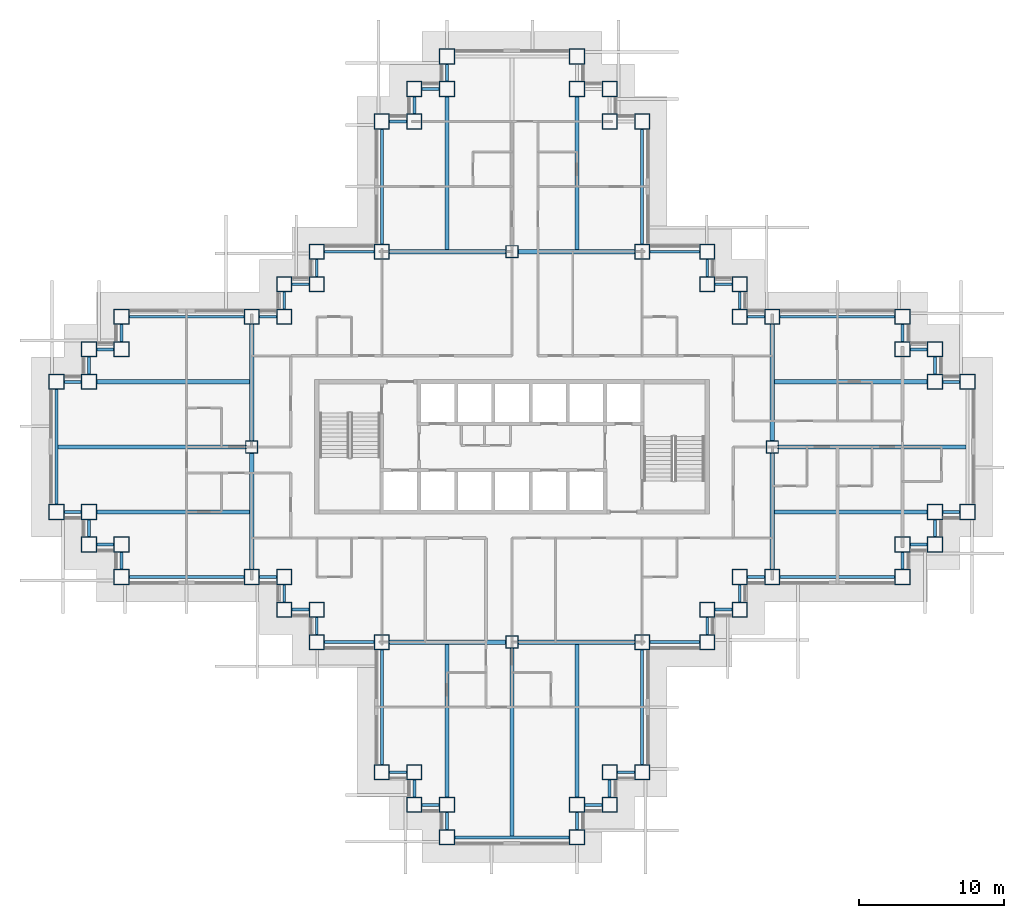
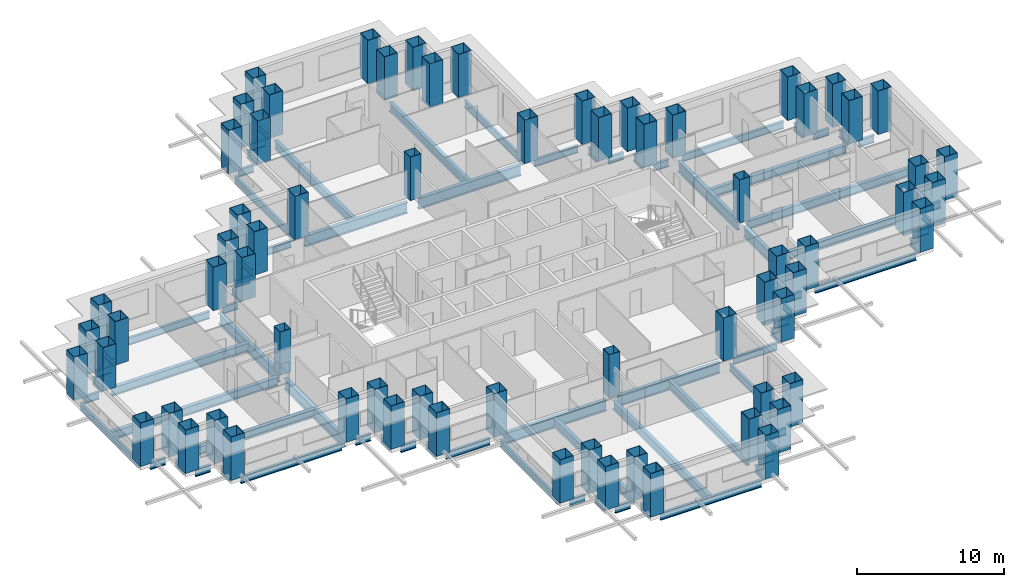
# One storey, part 1 of 15: 77 beams, 68 columns.
"""IFC4 building model written with IfcOpenShell, lengths in metres."""

from ifc_helpers import new_model, si_unit, direction, frame, origin, origin_2d, place, context, subcontext, project, spatial, hollow_rectangle, i_section, extrude, material, material_profile, profile_set, type_object, element, save


model = new_model("IFC4")

# Units and contexts
model_context = context("Model", 3, precision=1e-05, world=origin(), true_north=direction((0.0, 1.0)))
body_context = subcontext(model_context, "Body", "Model", "MODEL_VIEW")
ifc_project = project(units=[si_unit("LENGTHUNIT", "METRE"), si_unit("AREAUNIT", "SQUARE_METRE"), si_unit("VOLUMEUNIT", "CUBIC_METRE"), si_unit("PLANEANGLEUNIT", "RADIAN"), si_unit("MASSUNIT", "GRAM", prefix="KILO")], contexts=[model_context])

# Site, building, storey
site_placement = place(None, origin())
site = spatial("IfcSite", under=ifc_project, at=site_placement, CompositionType="ELEMENT")
building_placement = place(site_placement, origin())
building = spatial("IfcBuilding", under=site, at=building_placement, Name="Caravel Reach Hotel and Residences", CompositionType="ELEMENT")
storey_placement = place(building_placement, frame((0.0, 0.0, 44.39990234375)))
storey = spatial("IfcBuildingStorey", under=building, at=storey_placement, Name="L09", CompositionType="ELEMENT", Elevation=44.39990234375)

# Columns
ifc_material_1 = material(Name="Concrete-filled steel tube Q390B with Concrete C70 infill", Category="concrete")
ifc_material_profile_1 = material_profile(ifc_material_1, hollow_rectangle(XDim=1.050048828125, YDim=1.050048828125, WallThickness=0.033935546875, at=origin_2d()), Name="RHS 1050x1050x34")
ifc_profile_set_1 = profile_set([ifc_material_profile_1], Name="Concrete-filled steel tube Q390B with Concrete C70 infill")
column_type_1 = type_object("IfcColumnType", Name="CFT 1050x1050 Q390B C70", PredefinedType="COLUMN", material=ifc_profile_set_1)
for number, where, z_axis, x_axis, name in (
    (1, (22.5, 4.5, 0.0), (0.0, 0.0, 1.0), (1.0, 0.0, 0.0), "C11 column"),
    (2, (24.75, 4.5, 0.0), (0.0, 0.0, 1.0), (1.0, 0.0, 0.0), "C11 column"),
    (3, (24.75, 2.25, 0.0), (0.0, 0.0, 1.0), (1.0, 0.0, 0.0), "C11 column"),
    (4, (27.0, 2.25, 0.0), (0.0, 0.0, 1.0), (1.0, 0.0, 0.0), "C11 column"),
    (5, (27.0, 0.0, 0.0), (0.0, 0.0, 1.0), (1.0, 0.0, 0.0), "C11 column"),
    (6, (36.0, 0.0, 0.0), (0.0, 0.0, 1.0), (1.0, 0.0, 0.0), "C11 column"),
    (7, (36.0, 2.25, 0.0), (0.0, 0.0, 1.0), (1.0, 0.0, 0.0), "C11 column"),
    (8, (38.25, 2.25, 0.0), (0.0, 0.0, 1.0), (1.0, 0.0, 0.0), "C11 column"),
    (9, (38.25, 4.5, 0.0), (0.0, 0.0, 1.0), (1.0, 0.0, 0.0), "C11 column"),
    (10, (40.5, 4.5, 0.0), (0.0, 0.0, 1.0), (1.0, 0.0, 0.0), "C11 column"),
    (11, (40.5, 13.5, 0.0), (0.0, 0.0, 1.0), (1.0, 0.0, 0.0), "C11 column"),
    (12, (45.0, 13.5, 0.0), (0.0, 0.0, 1.0), (1.0, 0.0, 0.0), "C11 column"),
    (13, (45.0, 15.75, 0.0), (0.0, 0.0, 1.0), (1.0, 0.0, 0.0), "C11 column"),
    (14, (47.25, 15.75, 0.0), (0.0, 0.0, 1.0), (1.0, 0.0, 0.0), "C11 column"),
    (15, (47.25, 18.0, 0.0), (0.0, 0.0, 1.0), (1.0, 0.0, 0.0), "C11 column"),
    (16, (49.5, 18.0, 0.0), (0.0, 0.0, 1.0), (1.0, 0.0, 0.0), "C11 column"),
    (17, (58.5, 18.0, 0.0), (0.0, 0.0, 1.0), (1.0, 0.0, 0.0), "C11 column"),
    (18, (58.5, 20.25, 0.0), (0.0, 0.0, 1.0), (1.0, 0.0, 0.0), "C11 column"),
    (19, (60.75, 20.25, 0.0), (0.0, 0.0, 1.0), (1.0, 0.0, 0.0), "C11 column"),
    (20, (60.75, 22.5, 0.0), (0.0, 0.0, 1.0), (1.0, 0.0, 0.0), "C11 column"),
    (21, (63.0, 22.5, 0.0), (0.0, 0.0, 1.0), (1.0, 0.0, 0.0), "C11 column"),
    (22, (63.0, 31.5, 0.0), (0.0, 0.0, 1.0), (1.0, 0.0, 0.0), "C11 column"),
    (23, (60.75, 31.5, 0.0), (0.0, 0.0, 1.0), (1.0, 0.0, 0.0), "C11 column"),
    (24, (60.75, 33.75, 0.0), (0.0, 0.0, 1.0), (1.0, 0.0, 0.0), "C11 column"),
    (25, (58.5, 33.75, 0.0), (0.0, 0.0, 1.0), (1.0, 0.0, 0.0), "C11 column"),
    (26, (58.5, 36.0, 0.0), (0.0, 0.0, 1.0), (1.0, 0.0, 0.0), "C11 column"),
    (27, (49.5, 36.0, 0.0), (0.0, 0.0, 1.0), (1.0, 0.0, 0.0), "C11 column"),
    (28, (47.25, 36.0, 0.0), (0.0, 0.0, 1.0), (1.0, 0.0, 0.0), "C11 column"),
    (29, (47.25, 38.25, 0.0), (0.0, 0.0, 1.0), (1.0, 0.0, 0.0), "C11 column"),
    (30, (45.0, 38.25, 0.0), (0.0, 0.0, 1.0), (1.0, 0.0, 0.0), "C11 column"),
    (31, (45.0, 40.5, 0.0), (0.0, 0.0, 1.0), (1.0, 0.0, 0.0), "C11 column"),
    (32, (40.5, 40.5, 0.0), (0.0, 0.0, 1.0), (1.0, 0.0, 0.0), "C11 column"),
    (33, (40.5, 49.5, 0.0), (0.0, 0.0, 1.0), (1.0, 0.0, 0.0), "C11 column"),
    (34, (38.25, 49.5, 0.0), (0.0, 0.0, 1.0), (1.0, 0.0, 0.0), "C11 column"),
    (35, (38.25, 51.75, 0.0), (0.0, 0.0, 1.0), (1.0, 0.0, 0.0), "C11 column"),
    (36, (36.0, 51.75, 0.0), (0.0, 0.0, 1.0), (1.0, 0.0, 0.0), "C11 column"),
    (37, (36.0, 54.0, 0.0), (0.0, 0.0, 1.0), (1.0, 0.0, 0.0), "C11 column"),
    (38, (27.0, 54.0, 0.0), (0.0, 0.0, 1.0), (1.0, 0.0, 0.0), "C11 column"),
    (39, (27.0, 51.75, 0.0), (0.0, 0.0, 1.0), (1.0, 0.0, 0.0), "C11 column"),
    (40, (24.75, 51.75, 0.0), (0.0, 0.0, 1.0), (1.0, 0.0, 0.0), "C11 column"),
    (41, (24.75, 49.5, 0.0), (0.0, 0.0, 1.0), (1.0, 0.0, 0.0), "C11 column"),
    (42, (22.5, 49.5, 0.0), (0.0, 0.0, 1.0), (1.0, 0.0, 0.0), "C11 column"),
    (43, (22.5, 40.5, 0.0), (0.0, 0.0, 1.0), (1.0, 0.0, 0.0), "C11 column"),
    (44, (18.0, 40.5, 0.0), (0.0, 0.0, 1.0), (1.0, 0.0, 0.0), "C11 column"),
    (45, (18.0, 38.25, 0.0), (0.0, 0.0, 1.0), (1.0, 0.0, 0.0), "C11 column"),
    (46, (15.75, 38.25, 0.0), (0.0, 0.0, 1.0), (1.0, 0.0, 0.0), "C11 column"),
    (47, (15.75, 36.0, 0.0), (0.0, 0.0, 1.0), (1.0, 0.0, 0.0), "C11 column"),
    (48, (13.5, 36.0, 0.0), (0.0, 0.0, 1.0), (1.0, 0.0, 0.0), "C11 column"),
    (49, (4.5, 36.0, 0.0), (0.0, 0.0, 1.0), (1.0, 0.0, 0.0), "C11 column"),
    (50, (4.5, 33.75, 0.0), (0.0, 0.0, 1.0), (1.0, 0.0, 0.0), "C11 column"),
    (51, (2.25, 33.75, 0.0), (0.0, 0.0, 1.0), (1.0, 0.0, 0.0), "C11 column"),
    (52, (2.25, 31.5, 0.0), (0.0, 0.0, 1.0), (1.0, 0.0, 0.0), "C11 column"),
    (53, (0.0, 31.5, 0.0), (0.0, 0.0, 1.0), (1.0, 0.0, 0.0), "C11 column"),
    (54, (0.0, 22.5, 0.0), (0.0, 0.0, 1.0), (1.0, 0.0, 0.0), "C11 column"),
    (55, (2.25, 22.5, 0.0), (0.0, 0.0, 1.0), (1.0, 0.0, 0.0), "C11 column"),
    (56, (2.25, 20.25, 0.0), (0.0, 0.0, 1.0), (1.0, 0.0, 0.0), "C11 column"),
    (57, (4.5, 20.25, 0.0), (0.0, 0.0, 1.0), (1.0, 0.0, 0.0), "C11 column"),
    (58, (4.5, 18.0, 0.0), (0.0, 0.0, 1.0), (1.0, 0.0, 0.0), "C11 column"),
    (59, (13.5, 18.0, 0.0), (0.0, 0.0, 1.0), (1.0, 0.0, 0.0), "C11 column"),
    (60, (15.75, 18.0, 0.0), (0.0, 0.0, 1.0), (1.0, 0.0, 0.0), "C11 column"),
    (61, (15.75, 15.75, 0.0), (0.0, 0.0, 1.0), (1.0, 0.0, 0.0), "C11 column"),
    (62, (18.0, 15.75, 0.0), (0.0, 0.0, 1.0), (1.0, 0.0, 0.0), "C11 column"),
    (63, (18.0, 13.5, 0.0), (0.0, 0.0, 1.0), (1.0, 0.0, 0.0), "C11 column"),
    (64, (22.5, 13.5, 0.0), (0.0, 0.0, 1.0), (1.0, 0.0, 0.0), "C11 column"),
):
    element("IfcColumn", number, at=place(storey_placement, frame(where, z_axis=z_axis, x_axis=x_axis)), inside=storey, type_object=column_type_1, Name=name, PredefinedType="COLUMN", context=body_context, shape_type="SweptSolid", body=[
        extrude(hollow_rectangle(XDim=1.050048828125, YDim=1.050048828125, WallThickness=0.033935546875, at=origin_2d()), origin(), (0.0, 0.0, 1.0), 3.60009765625),
    ])
ifc_material_2 = material(Name="Concrete-filled steel tube Q390B with Concrete C70 infill", Category="concrete")
ifc_material_profile_2 = material_profile(ifc_material_2, hollow_rectangle(XDim=0.85009765625, YDim=0.85009765625, WallThickness=0.02587890625, at=origin_2d()), Name="RHS 850x850x26")
ifc_profile_set_2 = profile_set([ifc_material_profile_2], Name="Concrete-filled steel tube Q390B with Concrete C70 infill")
column_type_2 = type_object("IfcColumnType", Name="CFT 850x850 Q390B C70", PredefinedType="COLUMN", material=ifc_profile_set_2)
for number, where, z_axis, x_axis, name in (
    (65, (31.5, 40.5, 0.0), (0.0, 0.0, 1.0), (1.0, 0.0, 0.0), "C13 column"),
    (66, (31.5, 13.5, 0.0), (0.0, 0.0, 1.0), (1.0, 0.0, 0.0), "C13 column"),
    (67, (13.5, 27.0, 0.0), (0.0, 0.0, 1.0), (1.0, 0.0, 0.0), "C13 column"),
    (68, (49.5, 27.0, 0.0), (0.0, 0.0, 1.0), (1.0, 0.0, 0.0), "C13 column"),
):
    element("IfcColumn", number, at=place(storey_placement, frame(where, z_axis=z_axis, x_axis=x_axis)), inside=storey, type_object=column_type_2, Name=name, PredefinedType="COLUMN", context=body_context, shape_type="SweptSolid", body=[
        extrude(hollow_rectangle(XDim=0.85009765625, YDim=0.85009765625, WallThickness=0.02587890625, at=origin_2d()), origin(), (0.0, 0.0, 1.0), 3.60009765625),
    ])

# Beams
ifc_material_3 = material(Name="Structural steel Q355B", Category="steel")
ifc_material_profile_3 = material_profile(ifc_material_3, i_section(OverallWidth=0.300048828125, OverallDepth=0.699951171875, WebThickness=0.012939453125, FlangeThickness=0.02392578125, FilletRadius=0.01806640625, at=origin_2d()), Name="HN 700x300x13x24")
ifc_profile_set_3 = profile_set([ifc_material_profile_3], Name="Structural steel Q355B")
beam_type_1 = type_object("IfcBeamType", Name="Beam HN 700x300x13x24", PredefinedType="BEAM", material=ifc_profile_set_3)
for number, where, z_axis, x_axis, name in (
    (69, (27.0, 40.60009765625, -0.64990234375), (0.0, 1.0, 0.0), (-1.0, 0.0, 0.0), "B2 HN 700x300x13x24"),
    (70, (36.0, 40.60009765625, -0.64990234375), (0.0, 1.0, 0.0), (-1.0, 0.0, 0.0), "B2 HN 700x300x13x24"),
    (71, (27.0, 13.39990234375, -0.64990234375), (0.0, -1.0, 0.0), (1.0, 0.0, 0.0), "B2 HN 700x300x13x24"),
):
    element("IfcBeam", number, at=place(storey_placement, frame(where, z_axis=z_axis, x_axis=x_axis)), inside=storey, type_object=beam_type_1, Name=name, PredefinedType="BEAM", context=body_context, shape_type="SweptSolid", body=[
        extrude(i_section(OverallWidth=0.300048828125, OverallDepth=0.699951171875, WebThickness=0.012939453125, FlangeThickness=0.02392578125, FilletRadius=0.01806640625, at=origin_2d()), origin(), (0.0, 0.0, 1.0), 10.6748046875),
    ])
beam_1_placement = place(storey_placement, frame((31.5, 13.125, -0.64990234375), z_axis=(0.0, -1.0, 0.0), x_axis=(1.0, 0.0, 0.0)))
element("IfcBeam", 72, at=beam_1_placement, inside=storey, type_object=beam_type_1, Name="B2 HN 700x300x13x24", PredefinedType="BEAM", context=body_context, shape_type="SweptSolid", body=[
    extrude(i_section(OverallWidth=0.300048828125, OverallDepth=0.699951171875, WebThickness=0.012939453125, FlangeThickness=0.02392578125, FilletRadius=0.01806640625, at=origin_2d()), origin(), (0.0, 0.0, 1.0), 13.02490234375),
])
for number, where, z_axis, x_axis, name in (
    (73, (36.0, 13.39990234375, -0.64990234375), (0.0, -1.0, 0.0), (1.0, 0.0, 0.0), "B2 HN 700x300x13x24"),
    (74, (49.60009765625, 22.5, -0.64990234375), (1.0, 0.0, 0.0), (0.0, 1.0, 0.0), "B2 HN 700x300x13x24"),
):
    element("IfcBeam", number, at=place(storey_placement, frame(where, z_axis=z_axis, x_axis=x_axis)), inside=storey, type_object=beam_type_1, Name=name, PredefinedType="BEAM", context=body_context, shape_type="SweptSolid", body=[
        extrude(i_section(OverallWidth=0.300048828125, OverallDepth=0.699951171875, WebThickness=0.012939453125, FlangeThickness=0.02392578125, FilletRadius=0.01806640625, at=origin_2d()), origin(), (0.0, 0.0, 1.0), 10.6748046875),
    ])
beam_2_placement = place(storey_placement, frame((49.875, 27.0, -0.64990234375), z_axis=(1.0, 0.0, 0.0), x_axis=(0.0, 1.0, 0.0)))
element("IfcBeam", 75, at=beam_2_placement, inside=storey, type_object=beam_type_1, Name="B2 HN 700x300x13x24", PredefinedType="BEAM", context=body_context, shape_type="SweptSolid", body=[
    extrude(i_section(OverallWidth=0.300048828125, OverallDepth=0.699951171875, WebThickness=0.012939453125, FlangeThickness=0.02392578125, FilletRadius=0.01806640625, at=origin_2d()), origin(), (0.0, 0.0, 1.0), 13.02490234375),
])
for number, where, z_axis, x_axis, name in (
    (76, (49.60009765625, 31.5, -0.64990234375), (1.0, 0.0, 0.0), (0.0, 1.0, 0.0), "B2 HN 700x300x13x24"),
    (77, (13.39990234375, 22.5, -0.64990234375), (-1.0, 0.0, 0.0), (0.0, -1.0, 0.0), "B2 HN 700x300x13x24"),
):
    element("IfcBeam", number, at=place(storey_placement, frame(where, z_axis=z_axis, x_axis=x_axis)), inside=storey, type_object=beam_type_1, Name=name, PredefinedType="BEAM", context=body_context, shape_type="SweptSolid", body=[
        extrude(i_section(OverallWidth=0.300048828125, OverallDepth=0.699951171875, WebThickness=0.012939453125, FlangeThickness=0.02392578125, FilletRadius=0.01806640625, at=origin_2d()), origin(), (0.0, 0.0, 1.0), 10.6748046875),
    ])
beam_3_placement = place(storey_placement, frame((13.125, 27.0, -0.64990234375), z_axis=(-1.0, 0.0, 0.0), x_axis=(0.0, -1.0, 0.0)))
element("IfcBeam", 78, at=beam_3_placement, inside=storey, type_object=beam_type_1, Name="B2 HN 700x300x13x24", PredefinedType="BEAM", context=body_context, shape_type="SweptSolid", body=[
    extrude(i_section(OverallWidth=0.300048828125, OverallDepth=0.699951171875, WebThickness=0.012939453125, FlangeThickness=0.02392578125, FilletRadius=0.01806640625, at=origin_2d()), origin(), (0.0, 0.0, 1.0), 13.02490234375),
])
beam_4_placement = place(storey_placement, frame((13.39990234375, 31.5, -0.64990234375), z_axis=(-1.0, 0.0, 0.0), x_axis=(0.0, -1.0, 0.0)))
element("IfcBeam", 79, at=beam_4_placement, inside=storey, type_object=beam_type_1, Name="B2 HN 700x300x13x24", PredefinedType="BEAM", context=body_context, shape_type="SweptSolid", body=[
    extrude(i_section(OverallWidth=0.300048828125, OverallDepth=0.699951171875, WebThickness=0.012939453125, FlangeThickness=0.02392578125, FilletRadius=0.01806640625, at=origin_2d()), origin(), (0.0, 0.0, 1.0), 10.6748046875),
])
ifc_material_4 = material(Name="Structural steel Q355B", Category="steel")
ifc_material_profile_4 = material_profile(ifc_material_4, i_section(OverallWidth=0.300048828125, OverallDepth=0.89990234375, WebThickness=0.01611328125, FlangeThickness=0.028076171875, FilletRadius=0.01806640625, at=origin_2d()), Name="HN 900x300x16x28")
ifc_profile_set_4 = profile_set([ifc_material_profile_4], Name="Structural steel Q355B")
beam_type_2 = type_object("IfcBeamType", Name="Beam HN 900x300x16x28", PredefinedType="BEAM", material=ifc_profile_set_4)
for number, where, z_axis, x_axis, name in (
    (80, (23.02490234375, 40.5, -0.75), (1.0, 0.0, 0.0), (0.0, 1.0, 0.0), "B3 HN 900x300x16x28"),
    (81, (31.925048828125, 40.5, -0.75), (1.0, 0.0, 0.0), (0.0, 1.0, 0.0), "B3 HN 900x300x16x28"),
    (82, (23.02490234375, 13.5, -0.75), (1.0, 0.0, 0.0), (0.0, 1.0, 0.0), "B3 HN 900x300x16x28"),
    (83, (31.925048828125, 13.5, -0.75), (1.0, 0.0, 0.0), (0.0, 1.0, 0.0), "B3 HN 900x300x16x28"),
    (84, (13.5, 18.52490234375, -0.75), (0.0, 1.0, 0.0), (-1.0, 0.0, 0.0), "B3 HN 900x300x16x28"),
    (85, (13.5, 27.425048828125, -0.75), (0.0, 1.0, 0.0), (-1.0, 0.0, 0.0), "B3 HN 900x300x16x28"),
    (86, (49.5, 18.52490234375, -0.75), (0.0, 1.0, 0.0), (-1.0, 0.0, 0.0), "B3 HN 900x300x16x28"),
    (87, (49.5, 27.425048828125, -0.75), (0.0, 1.0, 0.0), (-1.0, 0.0, 0.0), "B3 HN 900x300x16x28"),
):
    element("IfcBeam", number, at=place(storey_placement, frame(where, z_axis=z_axis, x_axis=x_axis)), inside=storey, type_object=beam_type_2, Name=name, PredefinedType="BEAM", context=body_context, shape_type="SweptSolid", body=[
        extrude(i_section(OverallWidth=0.300048828125, OverallDepth=0.89990234375, WebThickness=0.01611328125, FlangeThickness=0.028076171875, FilletRadius=0.01806640625, at=origin_2d()), origin(), (0.0, 0.0, 1.0), 8.050048828125),
    ])
ifc_material_5 = material(Name="Structural steel Q355B", Category="steel")
ifc_material_profile_5 = material_profile(ifc_material_5, i_section(OverallWidth=0.199951171875, OverallDepth=0.60009765625, WebThickness=0.010986328125, FlangeThickness=0.01708984375, FilletRadius=0.012939453125, at=origin_2d()), Name="HN 600x200x11x17")
ifc_profile_set_5 = profile_set([ifc_material_profile_5], Name="Structural steel Q355B")
beam_type_3 = type_object("IfcBeamType", Name="Spandrel beam HN 600x200x11x17", PredefinedType="SPANDREL", material=ifc_profile_set_5)
for number, where, z_axis, x_axis, name in (
    (88, (23.02490234375, 4.5, -0.599853515625), (1.0, 0.0, 0.0), (0.0, 1.0, 0.0), "SP1 HN 600x200x11x17"),
    (89, (24.75, 3.97509765625, -0.599853515625), (0.0, -1.0, 0.0), (1.0, 0.0, 0.0), "SP1 HN 600x200x11x17"),
    (90, (25.27490234375, 2.25, -0.599853515625), (1.0, 0.0, 0.0), (0.0, 1.0, 0.0), "SP1 HN 600x200x11x17"),
    (91, (27.0, 1.72509765625, -0.599853515625), (0.0, -1.0, 0.0), (1.0, 0.0, 0.0), "SP1 HN 600x200x11x17"),
):
    element("IfcBeam", number, at=place(storey_placement, frame(where, z_axis=z_axis, x_axis=x_axis)), inside=storey, type_object=beam_type_3, Name=name, PredefinedType="SPANDREL", context=body_context, shape_type="SweptSolid", body=[
        extrude(i_section(OverallWidth=0.199951171875, OverallDepth=0.60009765625, WebThickness=0.010986328125, FlangeThickness=0.01708984375, FilletRadius=0.012939453125, at=origin_2d()), origin(), (0.0, 0.0, 1.0), 1.2001953125),
    ])
beam_5_placement = place(storey_placement, frame((27.52490234375, 0.0, -0.599853515625), z_axis=(1.0, 0.0, 0.0), x_axis=(0.0, 1.0, 0.0)))
element("IfcBeam", 92, at=beam_5_placement, inside=storey, type_object=beam_type_3, Name="SP1 HN 600x200x11x17", PredefinedType="SPANDREL", context=body_context, shape_type="SweptSolid", body=[
    extrude(i_section(OverallWidth=0.199951171875, OverallDepth=0.60009765625, WebThickness=0.010986328125, FlangeThickness=0.01708984375, FilletRadius=0.012939453125, at=origin_2d()), origin(), (0.0, 0.0, 1.0), 7.9501953125),
])
for number, where, z_axis, x_axis, name in (
    (93, (36.0, 0.52490234375, -0.599853515625), (0.0, 1.0, 0.0), (-1.0, 0.0, 0.0), "SP1 HN 600x200x11x17"),
    (94, (36.52490234375, 2.25, -0.599853515625), (1.0, 0.0, 0.0), (0.0, 1.0, 0.0), "SP1 HN 600x200x11x17"),
    (95, (38.25, 2.77490234375, -0.599853515625), (0.0, 1.0, 0.0), (-1.0, 0.0, 0.0), "SP1 HN 600x200x11x17"),
    (96, (38.77490234375, 4.5, -0.599853515625), (1.0, 0.0, 0.0), (0.0, 1.0, 0.0), "SP1 HN 600x200x11x17"),
):
    element("IfcBeam", number, at=place(storey_placement, frame(where, z_axis=z_axis, x_axis=x_axis)), inside=storey, type_object=beam_type_3, Name=name, PredefinedType="SPANDREL", context=body_context, shape_type="SweptSolid", body=[
        extrude(i_section(OverallWidth=0.199951171875, OverallDepth=0.60009765625, WebThickness=0.010986328125, FlangeThickness=0.01708984375, FilletRadius=0.012939453125, at=origin_2d()), origin(), (0.0, 0.0, 1.0), 1.2001953125),
    ])
beam_6_placement = place(storey_placement, frame((40.5, 5.02490234375, -0.599853515625), z_axis=(0.0, 1.0, 0.0), x_axis=(-1.0, 0.0, 0.0)))
element("IfcBeam", 97, at=beam_6_placement, inside=storey, type_object=beam_type_3, Name="SP1 HN 600x200x11x17", PredefinedType="SPANDREL", context=body_context, shape_type="SweptSolid", body=[
    extrude(i_section(OverallWidth=0.199951171875, OverallDepth=0.60009765625, WebThickness=0.010986328125, FlangeThickness=0.01708984375, FilletRadius=0.012939453125, at=origin_2d()), origin(), (0.0, 0.0, 1.0), 7.9501953125),
])
beam_7_placement = place(storey_placement, frame((41.02490234375, 13.5, -0.599853515625), z_axis=(1.0, 0.0, 0.0), x_axis=(0.0, 1.0, 0.0)))
element("IfcBeam", 98, at=beam_7_placement, inside=storey, type_object=beam_type_3, Name="SP1 HN 600x200x11x17", PredefinedType="SPANDREL", context=body_context, shape_type="SweptSolid", body=[
    extrude(i_section(OverallWidth=0.199951171875, OverallDepth=0.60009765625, WebThickness=0.010986328125, FlangeThickness=0.01708984375, FilletRadius=0.012939453125, at=origin_2d()), origin(), (0.0, 0.0, 1.0), 3.4501953125),
])
for number, where, z_axis, x_axis, name in (
    (99, (45.0, 14.02490234375, -0.599853515625), (0.0, 1.0, 0.0), (-1.0, 0.0, 0.0), "SP1 HN 600x200x11x17"),
    (100, (45.52490234375, 15.75, -0.599853515625), (1.0, 0.0, 0.0), (0.0, 1.0, 0.0), "SP1 HN 600x200x11x17"),
    (101, (47.25, 16.27490234375, -0.599853515625), (0.0, 1.0, 0.0), (-1.0, 0.0, 0.0), "SP1 HN 600x200x11x17"),
    (102, (47.77490234375, 18.0, -0.599853515625), (1.0, 0.0, 0.0), (0.0, 1.0, 0.0), "SP1 HN 600x200x11x17"),
):
    element("IfcBeam", number, at=place(storey_placement, frame(where, z_axis=z_axis, x_axis=x_axis)), inside=storey, type_object=beam_type_3, Name=name, PredefinedType="SPANDREL", context=body_context, shape_type="SweptSolid", body=[
        extrude(i_section(OverallWidth=0.199951171875, OverallDepth=0.60009765625, WebThickness=0.010986328125, FlangeThickness=0.01708984375, FilletRadius=0.012939453125, at=origin_2d()), origin(), (0.0, 0.0, 1.0), 1.2001953125),
    ])
beam_8_placement = place(storey_placement, frame((50.02490234375, 18.0, -0.599853515625), z_axis=(1.0, 0.0, 0.0), x_axis=(0.0, 1.0, 0.0)))
element("IfcBeam", 103, at=beam_8_placement, inside=storey, type_object=beam_type_3, Name="SP1 HN 600x200x11x17", PredefinedType="SPANDREL", context=body_context, shape_type="SweptSolid", body=[
    extrude(i_section(OverallWidth=0.199951171875, OverallDepth=0.60009765625, WebThickness=0.010986328125, FlangeThickness=0.01708984375, FilletRadius=0.012939453125, at=origin_2d()), origin(), (0.0, 0.0, 1.0), 7.9501953125),
])
for number, where, z_axis, x_axis, name in (
    (104, (58.5, 18.52490234375, -0.599853515625), (0.0, 1.0, 0.0), (-1.0, 0.0, 0.0), "SP1 HN 600x200x11x17"),
    (105, (59.02490234375, 20.25, -0.599853515625), (1.0, 0.0, 0.0), (0.0, 1.0, 0.0), "SP1 HN 600x200x11x17"),
    (106, (60.75, 20.77490234375, -0.599853515625), (0.0, 1.0, 0.0), (-1.0, 0.0, 0.0), "SP1 HN 600x200x11x17"),
    (107, (61.27490234375, 22.5, -0.599853515625), (1.0, 0.0, 0.0), (0.0, 1.0, 0.0), "SP1 HN 600x200x11x17"),
    (108, (62.47509765625, 31.5, -0.599853515625), (-1.0, 0.0, 0.0), (0.0, -1.0, 0.0), "SP1 HN 600x200x11x17"),
    (109, (60.75, 32.02490234375, -0.599853515625), (0.0, 1.0, 0.0), (-1.0, 0.0, 0.0), "SP1 HN 600x200x11x17"),
    (110, (60.22509765625, 33.75, -0.599853515625), (-1.0, 0.0, 0.0), (0.0, -1.0, 0.0), "SP1 HN 600x200x11x17"),
    (111, (58.5, 34.27490234375, -0.599853515625), (0.0, 1.0, 0.0), (-1.0, 0.0, 0.0), "SP1 HN 600x200x11x17"),
):
    element("IfcBeam", number, at=place(storey_placement, frame(where, z_axis=z_axis, x_axis=x_axis)), inside=storey, type_object=beam_type_3, Name=name, PredefinedType="SPANDREL", context=body_context, shape_type="SweptSolid", body=[
        extrude(i_section(OverallWidth=0.199951171875, OverallDepth=0.60009765625, WebThickness=0.010986328125, FlangeThickness=0.01708984375, FilletRadius=0.012939453125, at=origin_2d()), origin(), (0.0, 0.0, 1.0), 1.2001953125),
    ])
beam_9_placement = place(storey_placement, frame((57.97509765625, 36.0, -0.599853515625), z_axis=(-1.0, 0.0, 0.0), x_axis=(0.0, -1.0, 0.0)))
element("IfcBeam", 112, at=beam_9_placement, inside=storey, type_object=beam_type_3, Name="SP1 HN 600x200x11x17", PredefinedType="SPANDREL", context=body_context, shape_type="SweptSolid", body=[
    extrude(i_section(OverallWidth=0.199951171875, OverallDepth=0.60009765625, WebThickness=0.010986328125, FlangeThickness=0.01708984375, FilletRadius=0.012939453125, at=origin_2d()), origin(), (0.0, 0.0, 1.0), 7.9501953125),
])
for number, where, z_axis, x_axis, name in (
    (113, (48.97509765625, 36.0, -0.599853515625), (-1.0, 0.0, 0.0), (0.0, -1.0, 0.0), "SP1 HN 600x200x11x17"),
    (114, (47.25, 36.52490234375, -0.599853515625), (0.0, 1.0, 0.0), (-1.0, 0.0, 0.0), "SP1 HN 600x200x11x17"),
    (115, (46.72509765625, 38.25, -0.599853515625), (-1.0, 0.0, 0.0), (0.0, -1.0, 0.0), "SP1 HN 600x200x11x17"),
    (116, (45.0, 38.77490234375, -0.599853515625), (0.0, 1.0, 0.0), (-1.0, 0.0, 0.0), "SP1 HN 600x200x11x17"),
):
    element("IfcBeam", number, at=place(storey_placement, frame(where, z_axis=z_axis, x_axis=x_axis)), inside=storey, type_object=beam_type_3, Name=name, PredefinedType="SPANDREL", context=body_context, shape_type="SweptSolid", body=[
        extrude(i_section(OverallWidth=0.199951171875, OverallDepth=0.60009765625, WebThickness=0.010986328125, FlangeThickness=0.01708984375, FilletRadius=0.012939453125, at=origin_2d()), origin(), (0.0, 0.0, 1.0), 1.2001953125),
    ])
beam_10_placement = place(storey_placement, frame((44.47509765625, 40.5, -0.599853515625), z_axis=(-1.0, 0.0, 0.0), x_axis=(0.0, -1.0, 0.0)))
element("IfcBeam", 117, at=beam_10_placement, inside=storey, type_object=beam_type_3, Name="SP1 HN 600x200x11x17", PredefinedType="SPANDREL", context=body_context, shape_type="SweptSolid", body=[
    extrude(i_section(OverallWidth=0.199951171875, OverallDepth=0.60009765625, WebThickness=0.010986328125, FlangeThickness=0.01708984375, FilletRadius=0.012939453125, at=origin_2d()), origin(), (0.0, 0.0, 1.0), 3.4501953125),
])
beam_11_placement = place(storey_placement, frame((40.5, 41.02490234375, -0.599853515625), z_axis=(0.0, 1.0, 0.0), x_axis=(-1.0, 0.0, 0.0)))
element("IfcBeam", 118, at=beam_11_placement, inside=storey, type_object=beam_type_3, Name="SP1 HN 600x200x11x17", PredefinedType="SPANDREL", context=body_context, shape_type="SweptSolid", body=[
    extrude(i_section(OverallWidth=0.199951171875, OverallDepth=0.60009765625, WebThickness=0.010986328125, FlangeThickness=0.01708984375, FilletRadius=0.012939453125, at=origin_2d()), origin(), (0.0, 0.0, 1.0), 7.9501953125),
])
for number, where, z_axis, x_axis, name in (
    (119, (27.0, 53.47509765625, -0.599853515625), (0.0, -1.0, 0.0), (1.0, 0.0, 0.0), "SP1 HN 600x200x11x17"),
    (120, (26.47509765625, 51.75, -0.599853515625), (-1.0, 0.0, 0.0), (0.0, -1.0, 0.0), "SP1 HN 600x200x11x17"),
    (121, (24.75, 51.22509765625, -0.599853515625), (0.0, -1.0, 0.0), (1.0, 0.0, 0.0), "SP1 HN 600x200x11x17"),
    (122, (24.22509765625, 49.5, -0.599853515625), (-1.0, 0.0, 0.0), (0.0, -1.0, 0.0), "SP1 HN 600x200x11x17"),
):
    element("IfcBeam", number, at=place(storey_placement, frame(where, z_axis=z_axis, x_axis=x_axis)), inside=storey, type_object=beam_type_3, Name=name, PredefinedType="SPANDREL", context=body_context, shape_type="SweptSolid", body=[
        extrude(i_section(OverallWidth=0.199951171875, OverallDepth=0.60009765625, WebThickness=0.010986328125, FlangeThickness=0.01708984375, FilletRadius=0.012939453125, at=origin_2d()), origin(), (0.0, 0.0, 1.0), 1.2001953125),
    ])
beam_12_placement = place(storey_placement, frame((22.5, 48.97509765625, -0.599853515625), z_axis=(0.0, -1.0, 0.0), x_axis=(1.0, 0.0, 0.0)))
element("IfcBeam", 123, at=beam_12_placement, inside=storey, type_object=beam_type_3, Name="SP1 HN 600x200x11x17", PredefinedType="SPANDREL", context=body_context, shape_type="SweptSolid", body=[
    extrude(i_section(OverallWidth=0.199951171875, OverallDepth=0.60009765625, WebThickness=0.010986328125, FlangeThickness=0.01708984375, FilletRadius=0.012939453125, at=origin_2d()), origin(), (0.0, 0.0, 1.0), 7.9501953125),
])
beam_13_placement = place(storey_placement, frame((21.97509765625, 40.5, -0.599853515625), z_axis=(-1.0, 0.0, 0.0), x_axis=(0.0, -1.0, 0.0)))
element("IfcBeam", 124, at=beam_13_placement, inside=storey, type_object=beam_type_3, Name="SP1 HN 600x200x11x17", PredefinedType="SPANDREL", context=body_context, shape_type="SweptSolid", body=[
    extrude(i_section(OverallWidth=0.199951171875, OverallDepth=0.60009765625, WebThickness=0.010986328125, FlangeThickness=0.01708984375, FilletRadius=0.012939453125, at=origin_2d()), origin(), (0.0, 0.0, 1.0), 3.4501953125),
])
for number, where, z_axis, x_axis, name in (
    (125, (18.0, 39.97509765625, -0.599853515625), (0.0, -1.0, 0.0), (1.0, 0.0, 0.0), "SP1 HN 600x200x11x17"),
    (126, (17.47509765625, 38.25, -0.599853515625), (-1.0, 0.0, 0.0), (0.0, -1.0, 0.0), "SP1 HN 600x200x11x17"),
    (127, (15.75, 37.72509765625, -0.599853515625), (0.0, -1.0, 0.0), (1.0, 0.0, 0.0), "SP1 HN 600x200x11x17"),
    (128, (15.22509765625, 36.0, -0.599853515625), (-1.0, 0.0, 0.0), (0.0, -1.0, 0.0), "SP1 HN 600x200x11x17"),
):
    element("IfcBeam", number, at=place(storey_placement, frame(where, z_axis=z_axis, x_axis=x_axis)), inside=storey, type_object=beam_type_3, Name=name, PredefinedType="SPANDREL", context=body_context, shape_type="SweptSolid", body=[
        extrude(i_section(OverallWidth=0.199951171875, OverallDepth=0.60009765625, WebThickness=0.010986328125, FlangeThickness=0.01708984375, FilletRadius=0.012939453125, at=origin_2d()), origin(), (0.0, 0.0, 1.0), 1.2001953125),
    ])
beam_14_placement = place(storey_placement, frame((12.97509765625, 36.0, -0.599853515625), z_axis=(-1.0, 0.0, 0.0), x_axis=(0.0, -1.0, 0.0)))
element("IfcBeam", 129, at=beam_14_placement, inside=storey, type_object=beam_type_3, Name="SP1 HN 600x200x11x17", PredefinedType="SPANDREL", context=body_context, shape_type="SweptSolid", body=[
    extrude(i_section(OverallWidth=0.199951171875, OverallDepth=0.60009765625, WebThickness=0.010986328125, FlangeThickness=0.01708984375, FilletRadius=0.012939453125, at=origin_2d()), origin(), (0.0, 0.0, 1.0), 7.9501953125),
])
for number, where, z_axis, x_axis, name in (
    (130, (4.5, 35.47509765625, -0.599853515625), (0.0, -1.0, 0.0), (1.0, 0.0, 0.0), "SP1 HN 600x200x11x17"),
    (131, (3.97509765625, 33.75, -0.599853515625), (-1.0, 0.0, 0.0), (0.0, -1.0, 0.0), "SP1 HN 600x200x11x17"),
    (132, (2.25, 33.22509765625, -0.599853515625), (0.0, -1.0, 0.0), (1.0, 0.0, 0.0), "SP1 HN 600x200x11x17"),
    (133, (1.72509765625, 31.5, -0.599853515625), (-1.0, 0.0, 0.0), (0.0, -1.0, 0.0), "SP1 HN 600x200x11x17"),
):
    element("IfcBeam", number, at=place(storey_placement, frame(where, z_axis=z_axis, x_axis=x_axis)), inside=storey, type_object=beam_type_3, Name=name, PredefinedType="SPANDREL", context=body_context, shape_type="SweptSolid", body=[
        extrude(i_section(OverallWidth=0.199951171875, OverallDepth=0.60009765625, WebThickness=0.010986328125, FlangeThickness=0.01708984375, FilletRadius=0.012939453125, at=origin_2d()), origin(), (0.0, 0.0, 1.0), 1.2001953125),
    ])
beam_15_placement = place(storey_placement, frame((0.0, 30.97509765625, -0.599853515625), z_axis=(0.0, -1.0, 0.0), x_axis=(1.0, 0.0, 0.0)))
element("IfcBeam", 134, at=beam_15_placement, inside=storey, type_object=beam_type_3, Name="SP1 HN 600x200x11x17", PredefinedType="SPANDREL", context=body_context, shape_type="SweptSolid", body=[
    extrude(i_section(OverallWidth=0.199951171875, OverallDepth=0.60009765625, WebThickness=0.010986328125, FlangeThickness=0.01708984375, FilletRadius=0.012939453125, at=origin_2d()), origin(), (0.0, 0.0, 1.0), 7.9501953125),
])
for number, where, z_axis, x_axis, name in (
    (135, (0.52490234375, 22.5, -0.599853515625), (1.0, 0.0, 0.0), (0.0, 1.0, 0.0), "SP1 HN 600x200x11x17"),
    (136, (2.25, 21.97509765625, -0.599853515625), (0.0, -1.0, 0.0), (1.0, 0.0, 0.0), "SP1 HN 600x200x11x17"),
    (137, (2.77490234375, 20.25, -0.599853515625), (1.0, 0.0, 0.0), (0.0, 1.0, 0.0), "SP1 HN 600x200x11x17"),
    (138, (4.5, 19.72509765625, -0.599853515625), (0.0, -1.0, 0.0), (1.0, 0.0, 0.0), "SP1 HN 600x200x11x17"),
):
    element("IfcBeam", number, at=place(storey_placement, frame(where, z_axis=z_axis, x_axis=x_axis)), inside=storey, type_object=beam_type_3, Name=name, PredefinedType="SPANDREL", context=body_context, shape_type="SweptSolid", body=[
        extrude(i_section(OverallWidth=0.199951171875, OverallDepth=0.60009765625, WebThickness=0.010986328125, FlangeThickness=0.01708984375, FilletRadius=0.012939453125, at=origin_2d()), origin(), (0.0, 0.0, 1.0), 1.2001953125),
    ])
beam_16_placement = place(storey_placement, frame((5.02490234375, 18.0, -0.599853515625), z_axis=(1.0, 0.0, 0.0), x_axis=(0.0, 1.0, 0.0)))
element("IfcBeam", 139, at=beam_16_placement, inside=storey, type_object=beam_type_3, Name="SP1 HN 600x200x11x17", PredefinedType="SPANDREL", context=body_context, shape_type="SweptSolid", body=[
    extrude(i_section(OverallWidth=0.199951171875, OverallDepth=0.60009765625, WebThickness=0.010986328125, FlangeThickness=0.01708984375, FilletRadius=0.012939453125, at=origin_2d()), origin(), (0.0, 0.0, 1.0), 7.9501953125),
])
for number, where, z_axis, x_axis, name in (
    (140, (14.02490234375, 18.0, -0.599853515625), (1.0, 0.0, 0.0), (0.0, 1.0, 0.0), "SP1 HN 600x200x11x17"),
    (141, (15.75, 17.47509765625, -0.599853515625), (0.0, -1.0, 0.0), (1.0, 0.0, 0.0), "SP1 HN 600x200x11x17"),
    (142, (16.27490234375, 15.75, -0.599853515625), (1.0, 0.0, 0.0), (0.0, 1.0, 0.0), "SP1 HN 600x200x11x17"),
    (143, (18.0, 15.22509765625, -0.599853515625), (0.0, -1.0, 0.0), (1.0, 0.0, 0.0), "SP1 HN 600x200x11x17"),
):
    element("IfcBeam", number, at=place(storey_placement, frame(where, z_axis=z_axis, x_axis=x_axis)), inside=storey, type_object=beam_type_3, Name=name, PredefinedType="SPANDREL", context=body_context, shape_type="SweptSolid", body=[
        extrude(i_section(OverallWidth=0.199951171875, OverallDepth=0.60009765625, WebThickness=0.010986328125, FlangeThickness=0.01708984375, FilletRadius=0.012939453125, at=origin_2d()), origin(), (0.0, 0.0, 1.0), 1.2001953125),
    ])
beam_17_placement = place(storey_placement, frame((18.52490234375, 13.5, -0.599853515625), z_axis=(1.0, 0.0, 0.0), x_axis=(0.0, 1.0, 0.0)))
element("IfcBeam", 144, at=beam_17_placement, inside=storey, type_object=beam_type_3, Name="SP1 HN 600x200x11x17", PredefinedType="SPANDREL", context=body_context, shape_type="SweptSolid", body=[
    extrude(i_section(OverallWidth=0.199951171875, OverallDepth=0.60009765625, WebThickness=0.010986328125, FlangeThickness=0.01708984375, FilletRadius=0.012939453125, at=origin_2d()), origin(), (0.0, 0.0, 1.0), 3.4501953125),
])
beam_18_placement = place(storey_placement, frame((22.5, 12.97509765625, -0.599853515625), z_axis=(0.0, -1.0, 0.0), x_axis=(1.0, 0.0, 0.0)))
element("IfcBeam", 145, at=beam_18_placement, inside=storey, type_object=beam_type_3, Name="SP1 HN 600x200x11x17", PredefinedType="SPANDREL", context=body_context, shape_type="SweptSolid", body=[
    extrude(i_section(OverallWidth=0.199951171875, OverallDepth=0.60009765625, WebThickness=0.010986328125, FlangeThickness=0.01708984375, FilletRadius=0.012939453125, at=origin_2d()), origin(), (0.0, 0.0, 1.0), 7.9501953125),
])

save(model, "model.ifc")
